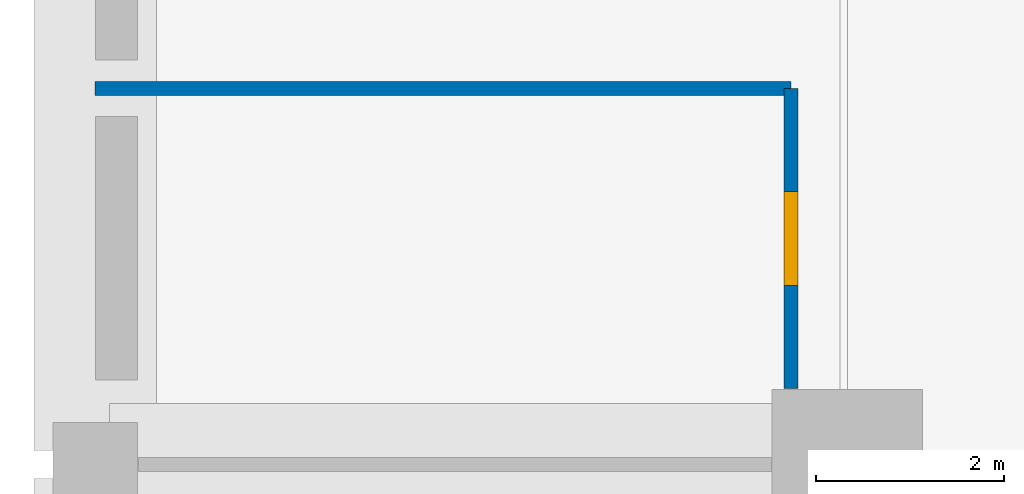
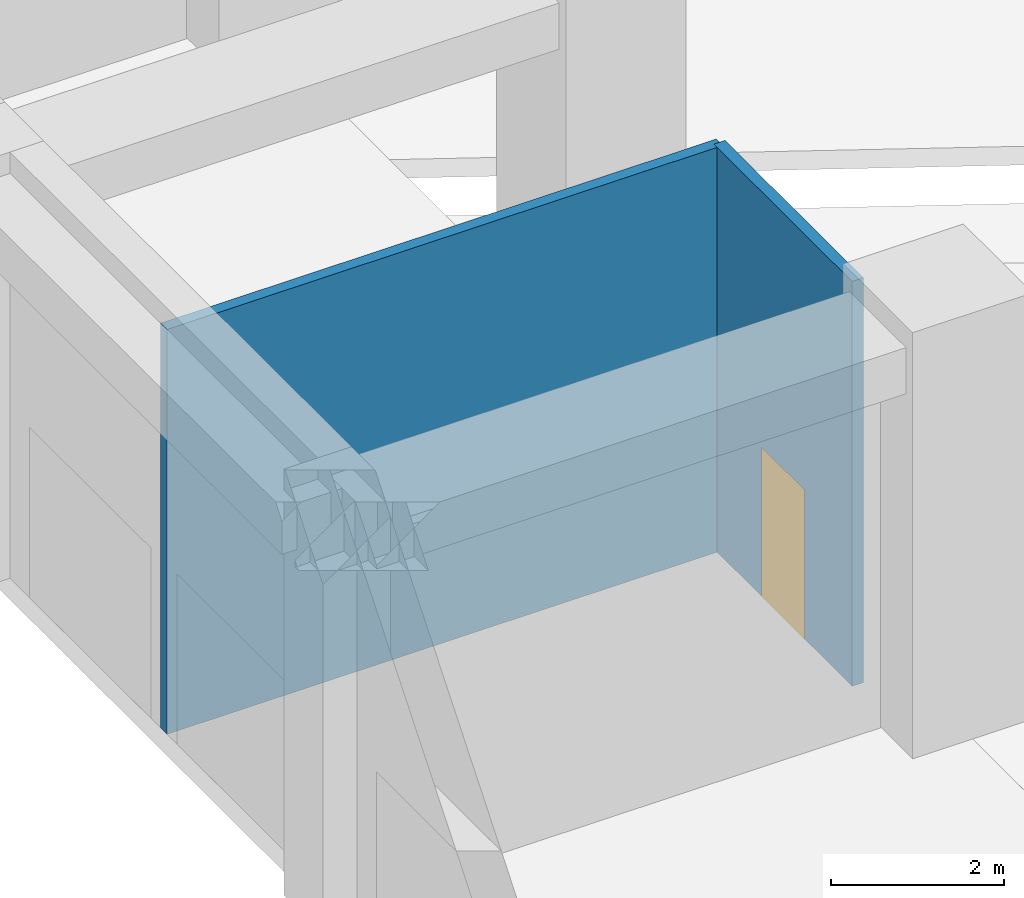
# One storey, part 6 of 28: 2 walls, 1 door, 1 opening.
"""IFC4 building model written with IfcOpenShell, lengths in metres."""

from ifc_helpers import new_model, si_unit, direction, frame, frame_2d, origin, place, context, subcontext, project, spatial, rectangle, extrude, material, layer, layer_set, type_object, element, fill, save


model = new_model("IFC4")

# Units and contexts
model_context = context("Model", 3, precision=1e-05, world=origin(), true_north=direction((0.0, 1.0)))
body_context = subcontext(model_context, "Body", "Model", "MODEL_VIEW")
ifc_project = project(units=[si_unit("LENGTHUNIT", "METRE"), si_unit("AREAUNIT", "SQUARE_METRE"), si_unit("VOLUMEUNIT", "CUBIC_METRE"), si_unit("PLANEANGLEUNIT", "RADIAN"), si_unit("MASSUNIT", "GRAM", prefix="KILO")], contexts=[model_context])

# Site, building, storey
site_placement = place(None, origin())
site = spatial("IfcSite", under=ifc_project, at=site_placement, CompositionType="ELEMENT")
building_placement = place(site_placement, origin())
building = spatial("IfcBuilding", under=site, at=building_placement, Name="Isbrekke Arena Tower", CompositionType="ELEMENT")
storey_placement = place(building_placement, origin())
storey = spatial("IfcBuildingStorey", under=building, at=storey_placement, Name="L00", CompositionType="ELEMENT", Elevation=0.0)

# Wall, opening, door
ifc_material_1 = material(Name="Gypsum board partition on steel studs", Category="steel")
ifc_layer = layer(ifc_material_1, 0.14990234375)
ifc_layer_set = layer_set([ifc_layer], Name="IW1 PARTITION 150")
wall_type = type_object("IfcWallType", Name="IW1 PARTITION 150", PredefinedType="PARTITIONING", material=ifc_layer_set)
wall_1_placement = place(storey_placement, frame((-48.60009765625, -57.18994140625, 0.0), z_axis=(0.0, 0.0, 1.0), x_axis=(0.0, 1.0, 0.0)))
wall_1 = element("IfcWall", 1, at=wall_1_placement, inside=storey, type_object=wall_type, Name="IW1 partition L00", PredefinedType="PARTITIONING", context=body_context, shape_type="SweptSolid", body=[
    extrude(rectangle(XDim=3.18994140625, YDim=0.14990234375, at=frame_2d((1.594970703125, 0.0))), origin(), (0.0, 0.0, 1.0), 5.699951171875),
])
opening_placement = place(wall_1_placement, frame((1.094970703125, 0.0, 0.0)))
opening = element("IfcOpeningElement", 2, at=opening_placement, cuts=wall_1, Name="Opening D6", PredefinedType="OPENING", context=body_context, shape_type="SweptSolid", body=[
    extrude(rectangle(XDim=1.0, YDim=2.10009765625, at=frame_2d((0.5, 1.050048828125))), frame((0.0, 0.08984375, 0.0), z_axis=(0.0, -1.0, 0.0), x_axis=(1.0, 0.0, 0.0)), (0.0, 0.0, 1.0), 0.1796875),
])
ifc_material_2 = material(Name="Timber door", Category="wood")
door_type = type_object("IfcDoorType", Name="D6 ROOM DOOR 1000 x 2100", OperationType="SINGLE_SWING_LEFT", PredefinedType="DOOR", material=ifc_material_2)
door_placement = place(opening_placement, origin())
door = element("IfcDoor", 3, at=door_placement, inside=storey, type_object=door_type, Name="D6 door L00-15", OperationType="SINGLE_SWING_LEFT", OverallHeight=2.10009765625, OverallWidth=1.0, PredefinedType="DOOR", context=body_context, shape_type="SweptSolid", body=[
    extrude(rectangle(XDim=1.0, YDim=2.10009765625, at=frame_2d((0.5, 1.050048828125))), frame((0.0, 0.07470703125, 0.0), z_axis=(0.0, -1.0, 0.0), x_axis=(1.0, 0.0, 0.0)), (0.0, 0.0, 1.0), 0.1494140625),
])
fill(opening, door)

# Wall
wall_2_placement = place(storey_placement, frame((-56.0, -54.0, 0.0), z_axis=(0.0, 0.0, 1.0), x_axis=(1.0, 0.0, 0.0)))
element("IfcWall", 4, at=wall_2_placement, inside=storey, type_object=wall_type, Name="IW1 partition L00", PredefinedType="PARTITIONING", context=body_context, shape_type="SweptSolid", body=[
    extrude(rectangle(XDim=7.39990234375, YDim=0.14990234375, at=frame_2d((3.699951171875, 0.0))), origin(), (0.0, 0.0, 1.0), 5.699951171875),
])

save(model, "model.ifc")
